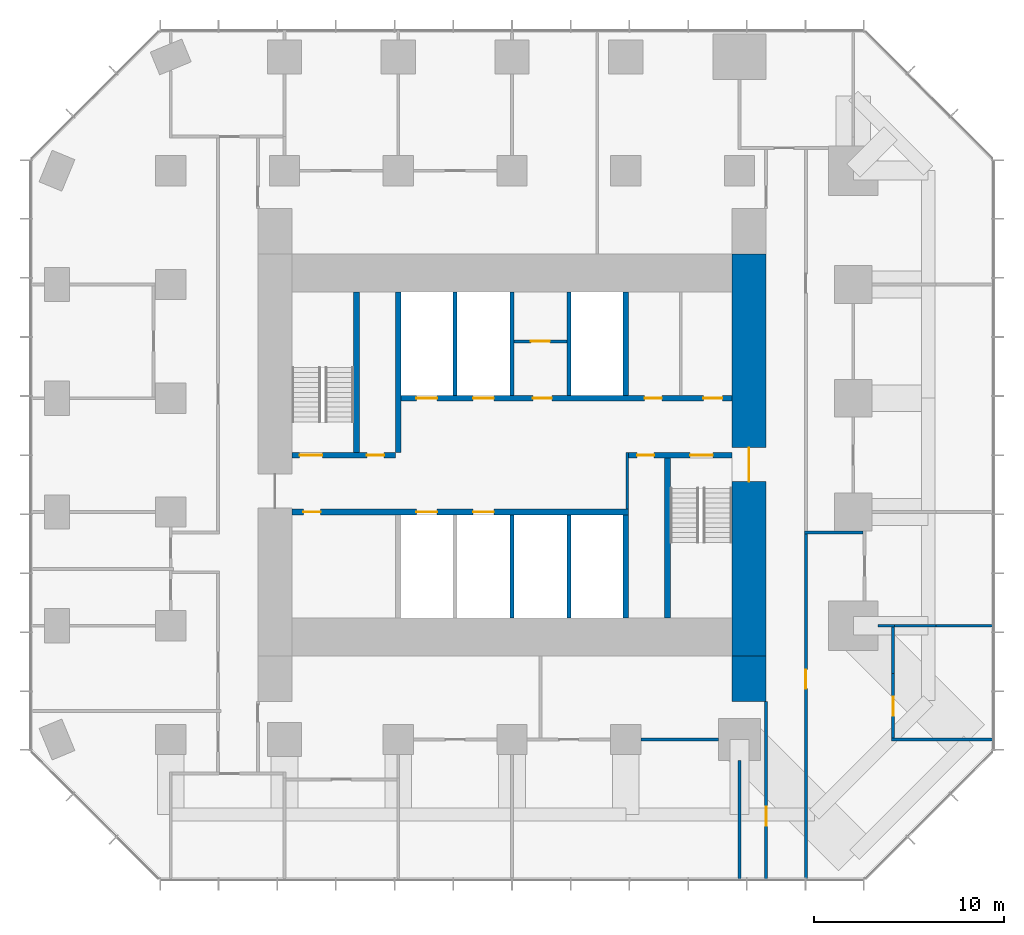
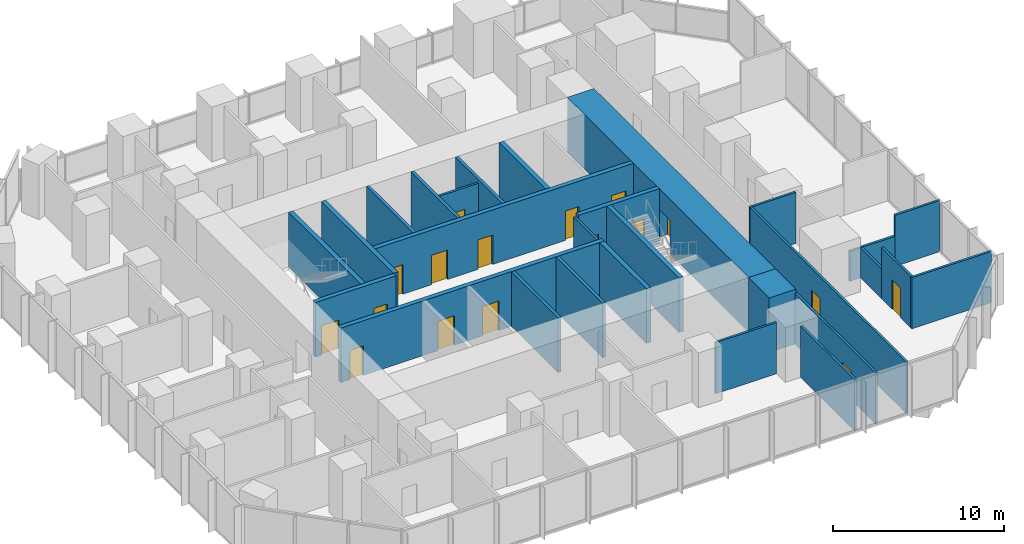
# One storey, part 10 of 12: 29 walls, 17 doors, 17 openings.
"""IFC4 building model written with IfcOpenShell, lengths in metres."""

from ifc_helpers import new_model, si_unit, direction, frame, frame_2d, origin, place, context, subcontext, project, spatial, rectangle, extrude, material, layer, layer_set, type_object, element, fill, save


model = new_model("IFC4")

# Units and contexts
model_context = context("Model", 3, precision=1e-05, world=origin(), true_north=direction((0.0, 1.0)))
body_context = subcontext(model_context, "Body", "Model", "MODEL_VIEW")
ifc_project = project(units=[si_unit("LENGTHUNIT", "METRE"), si_unit("AREAUNIT", "SQUARE_METRE"), si_unit("VOLUMEUNIT", "CUBIC_METRE"), si_unit("PLANEANGLEUNIT", "RADIAN"), si_unit("MASSUNIT", "GRAM", prefix="KILO")], contexts=[model_context])

# Site, building, storey
site_placement = place(None, origin())
site = spatial("IfcSite", under=ifc_project, at=site_placement, CompositionType="ELEMENT")
building_placement = place(site_placement, origin())
building = spatial("IfcBuilding", under=site, at=building_placement, Name="Highveld Stack Headquarters", CompositionType="ELEMENT")
storey_placement = place(building_placement, frame((0.0, 0.0, 160.10009765625)))
storey = spatial("IfcBuildingStorey", under=building, at=storey_placement, Name="L39", CompositionType="ELEMENT", Elevation=160.10009765625)

# Wall, opening, door
ifc_material_1 = material(Name="Concrete C60/75", Category="concrete")
ifc_layer_1 = layer(ifc_material_1, 1.800048828125)
ifc_layer_set_1 = layer_set([ifc_layer_1], Name="Concrete C60/75")
wall_type_1 = type_object("IfcWallType", Name="CORE WALL 1800 C60/75", PredefinedType="SHEAR", material=ifc_layer_set_1)
wall_1_placement = place(storey_placement, frame((18.5, -7.60009765625, 0.0), z_axis=(0.0, 0.0, 1.0), x_axis=(0.0, 1.0, 0.0)))
wall_1 = element("IfcWall", 1, at=wall_1_placement, inside=storey, type_object=wall_type_1, Name="Core wall E L39", PredefinedType="SHEAR", context=body_context, shape_type="SweptSolid", body=[
    extrude(rectangle(XDim=21.2001953125, YDim=1.800048828125, at=frame_2d((10.60009765625, 0.0))), origin(), (0.0, 0.0, 1.0), 3.89990234375),
])
opening_1_placement = place(wall_1_placement, frame((9.199951171875, 0.0, 0.0)))
opening_1 = element("IfcOpeningElement", 2, at=opening_1_placement, cuts=wall_1, Name="Opening L39-02", PredefinedType="OPENING", context=body_context, shape_type="SweptSolid", body=[
    extrude(rectangle(XDim=1.800048828125, YDim=2.39990234375, at=frame_2d((0.89990234375, 1.199951171875))), frame((0.0, 0.909912109375, 0.0), z_axis=(0.0, -1.0, 0.0), x_axis=(1.0, 0.0, 0.0)), (0.0, 0.0, 1.0), 1.820068359375),
])
ifc_material_2 = material(Name="Steel fire door", Category="steel")
door_type_1 = type_object("IfcDoorType", Name="LOBBY FIRE DOOR D4 1800x2400", OperationType="DOUBLE_DOOR_SINGLE_SWING", PredefinedType="DOOR", material=ifc_material_2)
door_1_placement = place(opening_1_placement, origin())
door_1 = element("IfcDoor", 3, at=door_1_placement, inside=storey, type_object=door_type_1, Name="Core east door L39", OperationType="DOUBLE_DOOR_SINGLE_SWING", OverallHeight=2.39990234375, OverallWidth=1.800048828125, PredefinedType="DOOR", context=body_context, shape_type="SweptSolid", body=[
    extrude(rectangle(XDim=1.800048828125, YDim=2.39990234375, at=frame_2d((0.89990234375, 1.199951171875))), frame((0.0, 0.02490234375, 0.0), z_axis=(0.0, -1.0, 0.0), x_axis=(1.0, 0.0, 0.0)), (0.0, 0.0, 1.0), 0.050048828125),
])
fill(opening_1, door_1)

# Wall, openings, doors
ifc_material_3 = material(Name="Concrete C60/75", Category="concrete")
ifc_layer_2 = layer(ifc_material_3, 0.300048828125)
ifc_layer_set_2 = layer_set([ifc_layer_2], Name="Concrete C60/75")
wall_type_2 = type_object("IfcWallType", Name="CORE WALL 300 C60/75", PredefinedType="SHEAR", material=ifc_layer_set_2)
wall_2_placement = place(storey_placement, frame((-5.60009765625, 0.0, 0.0), z_axis=(0.0, 0.0, 1.0), x_axis=(1.0, 0.0, 0.0)))
wall_2 = element("IfcWall", 4, at=wall_2_placement, inside=storey, type_object=wall_type_2, Name="Core wall I-Y0 L39", PredefinedType="SHEAR", context=body_context, shape_type="SweptSolid", body=[
    extrude(rectangle(XDim=17.75, YDim=0.300048828125, at=frame_2d((8.875, 0.0))), origin(), (0.0, 0.0, 1.0), 3.89990234375),
])
opening_2_placement = place(wall_2_placement, frame((0.60009765625, 0.0, 0.0)))
opening_2 = element("IfcOpeningElement", 5, at=opening_2_placement, cuts=wall_2, Name="Opening L39-07", PredefinedType="OPENING", context=body_context, shape_type="SweptSolid", body=[
    extrude(rectangle(XDim=0.89990234375, YDim=2.10009765625, at=frame_2d((0.449951171875, 1.050048828125))), frame((0.0, 0.159912109375, 0.0), z_axis=(0.0, -1.0, 0.0), x_axis=(1.0, 0.0, 0.0)), (0.0, 0.0, 1.0), 0.320068359375),
])
opening_3_placement = place(wall_2_placement, frame((6.550048828125, 0.0, 0.0)))
opening_3 = element("IfcOpeningElement", 6, at=opening_3_placement, cuts=wall_2, Name="Opening LD", PredefinedType="OPENING", context=body_context, shape_type="SweptSolid", body=[
    extrude(rectangle(XDim=1.10009765625, YDim=2.10009765625, at=frame_2d((0.550048828125, 1.050048828125))), frame((0.0, 0.159912109375, 0.0), z_axis=(0.0, -1.0, 0.0), x_axis=(1.0, 0.0, 0.0)), (0.0, 0.0, 1.0), 0.320068359375),
])
opening_4_placement = place(wall_2_placement, frame((9.550048828125, 0.0, 0.0)))
opening_4 = element("IfcOpeningElement", 7, at=opening_4_placement, cuts=wall_2, Name="Opening LD", PredefinedType="OPENING", context=body_context, shape_type="SweptSolid", body=[
    extrude(rectangle(XDim=1.10009765625, YDim=2.10009765625, at=frame_2d((0.550048828125, 1.050048828125))), frame((0.0, 0.159912109375, 0.0), z_axis=(0.0, -1.0, 0.0), x_axis=(1.0, 0.0, 0.0)), (0.0, 0.0, 1.0), 0.320068359375),
])
ifc_material_4 = material(Name="Stainless steel lift landing door", Category="steel")
door_type_2 = type_object("IfcDoorType", Name="LIFT LANDING DOOR LD 1100x2100", OperationType="DOUBLE_DOOR_SLIDING", PredefinedType="USERDEFINED", material=ifc_material_4)
door_2_placement = place(opening_3_placement, origin())
door_2 = element("IfcDoor", 8, at=door_2_placement, inside=storey, type_object=door_type_2, Name="Lift landing door B1 L39", ObjectType="LIFT LANDING DOOR", OperationType="DOUBLE_DOOR_SLIDING", OverallHeight=2.10009765625, OverallWidth=1.10009765625, PredefinedType="USERDEFINED", context=body_context, shape_type="SweptSolid", body=[
    extrude(rectangle(XDim=1.10009765625, YDim=2.10009765625, at=frame_2d((0.550048828125, 1.050048828125))), frame((0.0, 0.02490234375, 0.0), z_axis=(0.0, -1.0, 0.0), x_axis=(1.0, 0.0, 0.0)), (0.0, 0.0, 1.0), 0.050048828125),
])
fill(opening_3, door_2)
door_3_placement = place(opening_4_placement, origin())
door_3 = element("IfcDoor", 9, at=door_3_placement, inside=storey, type_object=door_type_2, Name="Lift landing door B2 L39", ObjectType="LIFT LANDING DOOR", OperationType="DOUBLE_DOOR_SLIDING", OverallHeight=2.10009765625, OverallWidth=1.10009765625, PredefinedType="USERDEFINED", context=body_context, shape_type="SweptSolid", body=[
    extrude(rectangle(XDim=1.10009765625, YDim=2.10009765625, at=frame_2d((0.550048828125, 1.050048828125))), frame((0.0, 0.02490234375, 0.0), z_axis=(0.0, -1.0, 0.0), x_axis=(1.0, 0.0, 0.0)), (0.0, 0.0, 1.0), 0.050048828125),
])
fill(opening_4, door_3)
ifc_material_5 = material(Name="Timber door, painted", Category="wood")
door_type_3 = type_object("IfcDoorType", Name="WC DOOR D1 900x2100", OperationType="SINGLE_SWING_LEFT", PredefinedType="DOOR", material=ifc_material_5)
door_4_placement = place(opening_2_placement, origin())
door_4 = element("IfcDoor", 10, at=door_4_placement, inside=storey, type_object=door_type_3, Name="Female WC door L39", OperationType="SINGLE_SWING_LEFT", OverallHeight=2.10009765625, OverallWidth=0.89990234375, PredefinedType="DOOR", context=body_context, shape_type="SweptSolid", body=[
    extrude(rectangle(XDim=0.89990234375, YDim=2.10009765625, at=frame_2d((0.449951171875, 1.050048828125))), frame((0.0, 0.02490234375, 0.0), z_axis=(0.0, -1.0, 0.0), x_axis=(1.0, 0.0, 0.0)), (0.0, 0.0, 1.0), 0.050048828125),
])
fill(opening_2, door_4)

wall_3_placement = place(storey_placement, frame((-5.60009765625, 3.0, 0.0), z_axis=(0.0, 0.0, 1.0), x_axis=(1.0, 0.0, 0.0)))
wall_3 = element("IfcWall", 11, at=wall_3_placement, inside=storey, type_object=wall_type_2, Name="Core wall I-Y3W L39", PredefinedType="SHEAR", context=body_context, shape_type="SweptSolid", body=[
    extrude(rectangle(XDim=5.4501953125, YDim=0.300048828125, at=frame_2d((2.72509765625, 0.0))), origin(), (0.0, 0.0, 1.0), 3.89990234375),
])
opening_5_placement = place(wall_3_placement, frame((0.39990234375, 0.0, 0.0)))
opening_5 = element("IfcOpeningElement", 12, at=opening_5_placement, cuts=wall_3, Name="Opening L39-03", PredefinedType="OPENING", context=body_context, shape_type="SweptSolid", body=[
    extrude(rectangle(XDim=1.199951171875, YDim=2.10009765625, at=frame_2d((0.60009765625, 1.050048828125))), frame((0.0, 0.159912109375, 0.0), z_axis=(0.0, -1.0, 0.0), x_axis=(1.0, 0.0, 0.0)), (0.0, 0.0, 1.0), 0.320068359375),
])
opening_6_placement = place(wall_3_placement, frame((3.949951171875, 0.0, 0.0)))
opening_6 = element("IfcOpeningElement", 13, at=opening_6_placement, cuts=wall_3, Name="Opening L39-04", PredefinedType="OPENING", context=body_context, shape_type="SweptSolid", body=[
    extrude(rectangle(XDim=0.89990234375, YDim=2.10009765625, at=frame_2d((0.449951171875, 1.050048828125))), frame((0.0, 0.159912109375, 0.0), z_axis=(0.0, -1.0, 0.0), x_axis=(1.0, 0.0, 0.0)), (0.0, 0.0, 1.0), 0.320068359375),
])
ifc_material_6 = material(Name="Steel fire door", Category="steel")
door_type_4 = type_object("IfcDoorType", Name="RISER ACCESS DOOR D5 900x2100", OperationType="SINGLE_SWING_LEFT", PredefinedType="DOOR", material=ifc_material_6)
door_5_placement = place(opening_6_placement, origin())
door_5 = element("IfcDoor", 14, at=door_5_placement, inside=storey, type_object=door_type_4, Name="Riser R1 door L39", OperationType="SINGLE_SWING_RIGHT", OverallHeight=2.10009765625, OverallWidth=0.89990234375, PredefinedType="DOOR", context=body_context, shape_type="SweptSolid", body=[
    extrude(rectangle(XDim=0.89990234375, YDim=2.10009765625, at=frame_2d((0.449951171875, 1.050048828125))), frame((0.0, 0.02490234375, 0.0), z_axis=(0.0, -1.0, 0.0), x_axis=(1.0, 0.0, 0.0)), (0.0, 0.0, 1.0), 0.050048828125),
])
fill(opening_6, door_5)
ifc_material_7 = material(Name="Steel fire door", Category="steel")
door_type_5 = type_object("IfcDoorType", Name="STAIR FIRE DOOR D3 1200x2100", OperationType="SINGLE_SWING_LEFT", PredefinedType="DOOR", material=ifc_material_7)
door_6_placement = place(opening_5_placement, origin())
door_6 = element("IfcDoor", 15, at=door_6_placement, inside=storey, type_object=door_type_5, Name="Stair S1 door L39", OperationType="SINGLE_SWING_LEFT", OverallHeight=2.10009765625, OverallWidth=1.199951171875, PredefinedType="DOOR", context=body_context, shape_type="SweptSolid", body=[
    extrude(rectangle(XDim=1.199951171875, YDim=2.10009765625, at=frame_2d((0.60009765625, 1.050048828125))), frame((0.0, 0.02490234375, 0.0), z_axis=(0.0, -1.0, 0.0), x_axis=(1.0, 0.0, 0.0)), (0.0, 0.0, 1.0), 0.050048828125),
])
fill(opening_5, door_6)

wall_4_placement = place(storey_placement, frame((12.14990234375, 3.0, 0.0), z_axis=(0.0, 0.0, 1.0), x_axis=(1.0, 0.0, 0.0)))
wall_4 = element("IfcWall", 16, at=wall_4_placement, inside=storey, type_object=wall_type_2, Name="Core wall I-Y3E L39", PredefinedType="SHEAR", context=body_context, shape_type="SweptSolid", body=[
    extrude(rectangle(XDim=5.4501953125, YDim=0.300048828125, at=frame_2d((2.72509765625, 0.0))), origin(), (0.0, 0.0, 1.0), 3.89990234375),
])
opening_7_placement = place(wall_4_placement, frame((3.25, 0.0, 0.0)))
opening_7 = element("IfcOpeningElement", 17, at=opening_7_placement, cuts=wall_4, Name="Opening L39-05", PredefinedType="OPENING", context=body_context, shape_type="SweptSolid", body=[
    extrude(rectangle(XDim=1.199951171875, YDim=2.10009765625, at=frame_2d((0.60009765625, 1.050048828125))), frame((0.0, 0.159912109375, 0.0), z_axis=(0.0, -1.0, 0.0), x_axis=(1.0, 0.0, 0.0)), (0.0, 0.0, 1.0), 0.320068359375),
])
opening_8_placement = place(wall_4_placement, frame((0.449951171875, 0.0, 0.0)))
opening_8 = element("IfcOpeningElement", 18, at=opening_8_placement, cuts=wall_4, Name="Opening L39-06", PredefinedType="OPENING", context=body_context, shape_type="SweptSolid", body=[
    extrude(rectangle(XDim=0.89990234375, YDim=2.10009765625, at=frame_2d((0.449951171875, 1.050048828125))), frame((0.0, 0.159912109375, 0.0), z_axis=(0.0, -1.0, 0.0), x_axis=(1.0, 0.0, 0.0)), (0.0, 0.0, 1.0), 0.320068359375),
])
door_7_placement = place(opening_8_placement, origin())
door_7 = element("IfcDoor", 19, at=door_7_placement, inside=storey, type_object=door_type_4, Name="Riser R2 door L39", OperationType="SINGLE_SWING_LEFT", OverallHeight=2.10009765625, OverallWidth=0.89990234375, PredefinedType="DOOR", context=body_context, shape_type="SweptSolid", body=[
    extrude(rectangle(XDim=0.89990234375, YDim=2.10009765625, at=frame_2d((0.449951171875, 1.050048828125))), frame((0.0, 0.02490234375, 0.0), z_axis=(0.0, -1.0, 0.0), x_axis=(1.0, 0.0, 0.0)), (0.0, 0.0, 1.0), 0.050048828125),
])
fill(opening_8, door_7)
door_8_placement = place(opening_7_placement, origin())
door_8 = element("IfcDoor", 20, at=door_8_placement, inside=storey, type_object=door_type_5, Name="Stair S2 door L39", OperationType="SINGLE_SWING_RIGHT", OverallHeight=2.10009765625, OverallWidth=1.199951171875, PredefinedType="DOOR", context=body_context, shape_type="SweptSolid", body=[
    extrude(rectangle(XDim=1.199951171875, YDim=2.10009765625, at=frame_2d((0.60009765625, 1.050048828125))), frame((0.0, 0.02490234375, 0.0), z_axis=(0.0, -1.0, 0.0), x_axis=(1.0, 0.0, 0.0)), (0.0, 0.0, 1.0), 0.050048828125),
])
fill(opening_7, door_8)

wall_5_placement = place(storey_placement, frame((-0.14990234375, 6.0, 0.0), z_axis=(0.0, 0.0, 1.0), x_axis=(1.0, 0.0, 0.0)))
wall_5 = element("IfcWall", 21, at=wall_5_placement, inside=storey, type_object=wall_type_2, Name="Core wall I-Y6 L39", PredefinedType="SHEAR", context=body_context, shape_type="SweptSolid", body=[
    extrude(rectangle(XDim=17.75, YDim=0.300048828125, at=frame_2d((8.875, 0.0))), origin(), (0.0, 0.0, 1.0), 3.89990234375),
])
opening_9_placement = place(wall_5_placement, frame((13.14990234375, 0.0, 0.0)))
opening_9 = element("IfcOpeningElement", 22, at=opening_9_placement, cuts=wall_5, Name="Opening L39-08", PredefinedType="OPENING", context=body_context, shape_type="SweptSolid", body=[
    extrude(rectangle(XDim=0.89990234375, YDim=2.10009765625, at=frame_2d((0.449951171875, 1.050048828125))), frame((0.0, 0.159912109375, 0.0), z_axis=(0.0, -1.0, 0.0), x_axis=(1.0, 0.0, 0.0)), (0.0, 0.0, 1.0), 0.320068359375),
])
opening_10_placement = place(wall_5_placement, frame((16.25, 0.0, 0.0)))
opening_10 = element("IfcOpeningElement", 23, at=opening_10_placement, cuts=wall_5, Name="Opening L39-09", PredefinedType="OPENING", context=body_context, shape_type="SweptSolid", body=[
    extrude(rectangle(XDim=1.0, YDim=2.10009765625, at=frame_2d((0.5, 1.050048828125))), frame((0.0, 0.159912109375, 0.0), z_axis=(0.0, -1.0, 0.0), x_axis=(1.0, 0.0, 0.0)), (0.0, 0.0, 1.0), 0.320068359375),
])
opening_11_placement = place(wall_5_placement, frame((7.25, 0.0, 0.0)))
opening_11 = element("IfcOpeningElement", 24, at=opening_11_placement, cuts=wall_5, Name="Opening L39-11", PredefinedType="OPENING", context=body_context, shape_type="SweptSolid", body=[
    extrude(rectangle(XDim=1.0, YDim=2.10009765625, at=frame_2d((0.5, 1.050048828125))), frame((0.0, 0.159912109375, 0.0), z_axis=(0.0, -1.0, 0.0), x_axis=(1.0, 0.0, 0.0)), (0.0, 0.0, 1.0), 0.320068359375),
])
opening_12_placement = place(wall_5_placement, frame((1.10009765625, 0.0, 0.0)))
opening_12 = element("IfcOpeningElement", 25, at=opening_12_placement, cuts=wall_5, Name="Opening LD", PredefinedType="OPENING", context=body_context, shape_type="SweptSolid", body=[
    extrude(rectangle(XDim=1.10009765625, YDim=2.10009765625, at=frame_2d((0.550048828125, 1.050048828125))), frame((0.0, 0.159912109375, 0.0), z_axis=(0.0, -1.0, 0.0), x_axis=(1.0, 0.0, 0.0)), (0.0, 0.0, 1.0), 0.320068359375),
])
opening_13_placement = place(wall_5_placement, frame((4.10009765625, 0.0, 0.0)))
opening_13 = element("IfcOpeningElement", 26, at=opening_13_placement, cuts=wall_5, Name="Opening LD", PredefinedType="OPENING", context=body_context, shape_type="SweptSolid", body=[
    extrude(rectangle(XDim=1.10009765625, YDim=2.10009765625, at=frame_2d((0.550048828125, 1.050048828125))), frame((0.0, 0.159912109375, 0.0), z_axis=(0.0, -1.0, 0.0), x_axis=(1.0, 0.0, 0.0)), (0.0, 0.0, 1.0), 0.320068359375),
])
ifc_material_8 = material(Name="Timber door, painted", Category="wood")
door_type_6 = type_object("IfcDoorType", Name="ACCESSIBLE WC DOOR D2 1000x2100", OperationType="SINGLE_SWING_RIGHT", PredefinedType="DOOR", material=ifc_material_8)
door_9_placement = place(opening_10_placement, origin())
door_9 = element("IfcDoor", 27, at=door_9_placement, inside=storey, type_object=door_type_6, Name="Accessible WC door L39", OperationType="SINGLE_SWING_RIGHT", OverallHeight=2.10009765625, OverallWidth=1.0, PredefinedType="DOOR", context=body_context, shape_type="SweptSolid", body=[
    extrude(rectangle(XDim=1.0, YDim=2.10009765625, at=frame_2d((0.5, 1.050048828125))), frame((0.0, 0.02490234375, 0.0), z_axis=(0.0, -1.0, 0.0), x_axis=(1.0, 0.0, 0.0)), (0.0, 0.0, 1.0), 0.050048828125),
])
fill(opening_10, door_9)
ifc_material_9 = material(Name="Steel fire door", Category="steel")
door_type_7 = type_object("IfcDoorType", Name="CORE ROOM FIRE DOOR D14 1000x2100", OperationType="SINGLE_SWING_LEFT", PredefinedType="DOOR", material=ifc_material_9)
door_10_placement = place(opening_11_placement, origin())
door_10 = element("IfcDoor", 28, at=door_10_placement, inside=storey, type_object=door_type_7, Name="Capped A 1 door L39", OperationType="SINGLE_SWING_LEFT", OverallHeight=2.10009765625, OverallWidth=1.0, PredefinedType="DOOR", context=body_context, shape_type="SweptSolid", body=[
    extrude(rectangle(XDim=1.0, YDim=2.10009765625, at=frame_2d((0.5, 1.050048828125))), frame((0.0, 0.02490234375, 0.0), z_axis=(0.0, -1.0, 0.0), x_axis=(1.0, 0.0, 0.0)), (0.0, 0.0, 1.0), 0.050048828125),
])
fill(opening_11, door_10)
door_11_placement = place(opening_12_placement, origin())
door_11 = element("IfcDoor", 29, at=door_11_placement, inside=storey, type_object=door_type_2, Name="Lift landing door FF1 L39", ObjectType="LIFT LANDING DOOR", OperationType="DOUBLE_DOOR_SLIDING", OverallHeight=2.10009765625, OverallWidth=1.10009765625, PredefinedType="USERDEFINED", context=body_context, shape_type="SweptSolid", body=[
    extrude(rectangle(XDim=1.10009765625, YDim=2.10009765625, at=frame_2d((0.550048828125, 1.050048828125))), frame((0.0, 0.02490234375, 0.0), z_axis=(0.0, -1.0, 0.0), x_axis=(1.0, 0.0, 0.0)), (0.0, 0.0, 1.0), 0.050048828125),
])
fill(opening_12, door_11)
door_12_placement = place(opening_13_placement, origin())
door_12 = element("IfcDoor", 30, at=door_12_placement, inside=storey, type_object=door_type_2, Name="Lift landing door FF2 L39", ObjectType="LIFT LANDING DOOR", OperationType="DOUBLE_DOOR_SLIDING", OverallHeight=2.10009765625, OverallWidth=1.10009765625, PredefinedType="USERDEFINED", context=body_context, shape_type="SweptSolid", body=[
    extrude(rectangle(XDim=1.10009765625, YDim=2.10009765625, at=frame_2d((0.550048828125, 1.050048828125))), frame((0.0, 0.02490234375, 0.0), z_axis=(0.0, -1.0, 0.0), x_axis=(1.0, 0.0, 0.0)), (0.0, 0.0, 1.0), 0.050048828125),
])
fill(opening_13, door_12)
door_13_placement = place(opening_9_placement, origin())
door_13 = element("IfcDoor", 31, at=door_13_placement, inside=storey, type_object=door_type_3, Name="Male WC door L39", OperationType="SINGLE_SWING_RIGHT", OverallHeight=2.10009765625, OverallWidth=0.89990234375, PredefinedType="DOOR", context=body_context, shape_type="SweptSolid", body=[
    extrude(rectangle(XDim=0.89990234375, YDim=2.10009765625, at=frame_2d((0.449951171875, 1.050048828125))), frame((0.0, 0.02490234375, 0.0), z_axis=(0.0, -1.0, 0.0), x_axis=(1.0, 0.0, 0.0)), (0.0, 0.0, 1.0), 0.050048828125),
])
fill(opening_9, door_13)

# Walls
wall_6_placement = place(storey_placement, frame((0.0, 3.14990234375, 0.0), z_axis=(0.0, 0.0, 1.0), x_axis=(0.0, 1.0, 0.0)))
element("IfcWall", 32, at=wall_6_placement, inside=storey, type_object=wall_type_2, Name="Core wall I-X0N L39", PredefinedType="SHEAR", context=body_context, shape_type="SweptSolid", body=[
    extrude(rectangle(XDim=8.4501953125, YDim=0.300048828125, at=frame_2d((4.22509765625, 0.0))), origin(), (0.0, 0.0, 1.0), 3.89990234375),
])
for number, where, z_axis, x_axis, name in (
    (33, (12.0, -5.60009765625, 0.0), (0.0, 0.0, 1.0), (0.0, 1.0, 0.0), "Core wall I-X12S L39"),
    (34, (12.0, 6.14990234375, 0.0), (0.0, 0.0, 1.0), (0.0, 1.0, 0.0), "Core wall I-X12N L39"),
):
    element("IfcWall", number, at=place(storey_placement, frame(where, z_axis=z_axis, x_axis=x_axis)), inside=storey, type_object=wall_type_2, Name=name, PredefinedType="SHEAR", context=body_context, shape_type="SweptSolid", body=[
        extrude(rectangle(XDim=5.4501953125, YDim=0.300048828125, at=frame_2d((2.72509765625, 0.0))), origin(), (0.0, 0.0, 1.0), 3.89990234375),
    ])
for number, where, z_axis, x_axis, name in (
    (35, (-2.199951171875, 3.14990234375, 0.0), (0.0, 0.0, 1.0), (0.0, 1.0, 0.0), "Core wall I-RW L39"),
    (36, (14.199951171875, -5.60009765625, 0.0), (0.0, 0.0, 1.0), (0.0, 1.0, 0.0), "Core wall I-RE L39"),
):
    element("IfcWall", number, at=place(storey_placement, frame(where, z_axis=z_axis, x_axis=x_axis)), inside=storey, type_object=wall_type_2, Name=name, PredefinedType="SHEAR", context=body_context, shape_type="SweptSolid", body=[
        extrude(rectangle(XDim=8.4501953125, YDim=0.300048828125, at=frame_2d((4.22509765625, 0.0))), origin(), (0.0, 0.0, 1.0), 3.89990234375),
    ])
ifc_material_10 = material(Name="Concrete C60/75", Category="concrete")
ifc_layer_3 = layer(ifc_material_10, 1.800048828125)
ifc_layer_set_3 = layer_set([ifc_layer_3], Name="Concrete C60/75")
wall_type_3 = type_object("IfcWallType", Name="CORE WING WALL 1800 C60/75", PredefinedType="SHEAR", material=ifc_layer_set_3)
wall_7_placement = place(storey_placement, frame((18.5, -10.0, 0.0), z_axis=(0.0, 0.0, 1.0), x_axis=(0.0, 1.0, 0.0)))
element("IfcWall", 37, at=wall_7_placement, inside=storey, type_object=wall_type_3, Name="Core wing wall ES L39", PredefinedType="SHEAR", context=body_context, shape_type="SweptSolid", body=[
    extrude(rectangle(XDim=2.39990234375, YDim=1.800048828125, at=frame_2d((1.199951171875, 0.0))), origin(), (0.0, 0.0, 1.0), 3.89990234375),
])

# Wall, opening, door
ifc_material_11 = material(Name="Concrete blockwork, plastered", Category="masonry")
ifc_layer_4 = layer(ifc_material_11, 0.14990234375)
ifc_layer_set_4 = layer_set([ifc_layer_4], Name="Concrete blockwork, plastered")
wall_type_4 = type_object("IfcWallType", Name="FIRE PARTITION 150 BLOCKWORK", PredefinedType="PARTITIONING", material=ifc_layer_set_4)
wall_8_placement = place(storey_placement, frame((6.10009765625, 9.0, 0.0), z_axis=(0.0, 0.0, 1.0), x_axis=(1.0, 0.0, 0.0)))
wall_8 = element("IfcWall", 38, at=wall_8_placement, inside=storey, type_object=wall_type_4, Name="Core room partition L39", PredefinedType="PARTITIONING", context=body_context, shape_type="SweptSolid", body=[
    extrude(rectangle(XDim=2.7998046875, YDim=0.14990234375, at=frame_2d((1.39990234375, 0.0))), origin(), (0.0, 0.0, 1.0), 3.64990234375),
])
opening_14_placement = place(wall_8_placement, frame((0.89990234375, 0.0, 0.0)))
opening_14 = element("IfcOpeningElement", 39, at=opening_14_placement, cuts=wall_8, Name="Opening L39-10", PredefinedType="OPENING", context=body_context, shape_type="SweptSolid", body=[
    extrude(rectangle(XDim=1.0, YDim=2.10009765625, at=frame_2d((0.5, 1.050048828125))), frame((0.0, 0.0849609375, 0.0), z_axis=(0.0, -1.0, 0.0), x_axis=(1.0, 0.0, 0.0)), (0.0, 0.0, 1.0), 0.169921875),
])
door_14_placement = place(opening_14_placement, origin())
door_14 = element("IfcDoor", 40, at=door_14_placement, inside=storey, type_object=door_type_7, Name="Capped A 2 door L39", OperationType="SINGLE_SWING_RIGHT", OverallHeight=2.10009765625, OverallWidth=1.0, PredefinedType="DOOR", context=body_context, shape_type="SweptSolid", body=[
    extrude(rectangle(XDim=1.0, YDim=2.10009765625, at=frame_2d((0.5, 1.050048828125))), frame((0.0, 0.02490234375, 0.0), z_axis=(0.0, -1.0, 0.0), x_axis=(1.0, 0.0, 0.0)), (0.0, 0.0, 1.0), 0.050048828125),
])
fill(opening_14, door_14)

# Walls
wall_9_placement = place(storey_placement, frame((12.074951171875, 0.14990234375, 0.0), z_axis=(0.0, 0.0, 1.0), x_axis=(0.0, 1.0, 0.0)))
element("IfcWall", 41, at=wall_9_placement, inside=storey, type_object=wall_type_4, Name="Riser R2 enclosure L39", PredefinedType="PARTITIONING", context=body_context, shape_type="SweptSolid", body=[
    extrude(rectangle(XDim=3.0, YDim=0.14990234375, at=frame_2d((1.5, 0.0))), origin(), (0.0, 0.0, 1.0), 3.64990234375),
])
ifc_material_12 = material(Name="Concrete blockwork, fair-faced", Category="masonry")
ifc_layer_5 = layer(ifc_material_12, 0.199951171875)
ifc_layer_set_5 = layer_set([ifc_layer_5], Name="Concrete blockwork, fair-faced")
wall_type_5 = type_object("IfcWallType", Name="LIFT SHAFT ENCLOSURE WALL 200 BLOCKWORK", PredefinedType="SOLIDWALL", material=ifc_layer_set_5)
for number, where, z_axis, x_axis, name in (
    (42, (3.0, 6.14990234375, 0.0), (0.0, 0.0, 1.0), (0.0, 1.0, 0.0), "Lift shaft wall L39"),
    (43, (6.0, 6.14990234375, 0.0), (0.0, 0.0, 1.0), (0.0, 1.0, 0.0), "Lift shaft wall L39"),
    (44, (9.0, 6.14990234375, 0.0), (0.0, 0.0, 1.0), (0.0, 1.0, 0.0), "Lift shaft wall L39"),
    (45, (6.0, -5.60009765625, 0.0), (0.0, 0.0, 1.0), (0.0, 1.0, 0.0), "Lift shaft wall L39"),
    (46, (9.0, -5.60009765625, 0.0), (0.0, 0.0, 1.0), (0.0, 1.0, 0.0), "Lift shaft wall L39"),
):
    element("IfcWall", number, at=place(storey_placement, frame(where, z_axis=z_axis, x_axis=x_axis)), inside=storey, type_object=wall_type_5, Name=name, PredefinedType="SOLIDWALL", context=body_context, shape_type="SweptSolid", body=[
        extrude(rectangle(XDim=5.4501953125, YDim=0.199951171875, at=frame_2d((2.72509765625, 0.0))), origin(), (0.0, 0.0, 1.0), 3.89990234375),
    ])
ifc_material_13 = material(Name="Gypsum plasterboard on steel studs", Category="steel")
ifc_layer_6 = layer(ifc_material_13, 0.14990234375)
ifc_layer_set_6 = layer_set([ifc_layer_6], Name="Gypsum plasterboard on steel studs")
wall_type_6 = type_object("IfcWallType", Name="PARTITION 150 PLASTERBOARD", PredefinedType="PARTITIONING", material=ifc_layer_set_6)
wall_10_placement = place(storey_placement, frame((12.800048828125, -12.0, 0.0), z_axis=(0.0, 0.0, 1.0), x_axis=(1.0, 0.0, 0.0)))
element("IfcWall", 47, at=wall_10_placement, inside=storey, type_object=wall_type_6, Name="Partition Team office L39", PredefinedType="PARTITIONING", context=body_context, shape_type="SweptSolid", body=[
    extrude(rectangle(XDim=4.099853515625, YDim=0.14990234375, at=frame_2d((2.0498046875, 0.0))), origin(), (0.0, 0.0, 1.0), 3.64990234375),
])
wall_11_placement = place(storey_placement, frame((26.02490234375, -12.0, 0.0), z_axis=(0.0, 0.0, 1.0), x_axis=(1.0, 0.0, 0.0)))
element("IfcWall", 48, at=wall_11_placement, inside=storey, type_object=wall_type_6, Name="Partition Focus room L39", PredefinedType="PARTITIONING", context=body_context, shape_type="SweptSolid", body=[
    extrude(rectangle(XDim=5.375, YDim=0.14990234375, at=frame_2d((2.6875, 0.0))), origin(), (0.0, 0.0, 1.0), 3.64990234375),
])
wall_12_placement = place(storey_placement, frame((25.300048828125, -6.0, 0.0), z_axis=(0.0, 0.0, 1.0), x_axis=(1.0, 0.0, 0.0)))
element("IfcWall", 49, at=wall_12_placement, inside=storey, type_object=wall_type_6, Name="Partition Video conference room L39", PredefinedType="PARTITIONING", context=body_context, shape_type="SweptSolid", body=[
    extrude(rectangle(XDim=0.875, YDim=0.14990234375, at=frame_2d((0.4375, 0.0))), origin(), (0.0, 0.0, 1.0), 2.14990234375),
])
wall_13_placement = place(storey_placement, frame((26.10009765625, -6.0, 0.0), z_axis=(0.0, 0.0, 1.0), x_axis=(1.0, 0.0, 0.0)))
element("IfcWall", 50, at=wall_13_placement, inside=storey, type_object=wall_type_6, Name="Partition Focus room / Video conference room L39", PredefinedType="PARTITIONING", context=body_context, shape_type="SweptSolid", body=[
    extrude(rectangle(XDim=2.260009765625, YDim=0.14990234375, at=frame_2d((1.1298828125, 0.0))), origin(), (0.0, 0.0, 1.0), 2.14990234375),
])
wall_14_placement = place(storey_placement, frame((28.360107421875, -6.0, 0.0), z_axis=(0.0, 0.0, 1.0), x_axis=(1.0, 0.0, 0.0)))
element("IfcWall", 51, at=wall_14_placement, inside=storey, type_object=wall_type_6, Name="Partition Focus room / Video conference room L39", PredefinedType="PARTITIONING", context=body_context, shape_type="SweptSolid", body=[
    extrude(rectangle(XDim=3.039794921875, YDim=0.14990234375, at=frame_2d((1.52001953125, 0.0))), origin(), (0.0, 0.0, 1.0), 3.64990234375),
])
wall_15_placement = place(storey_placement, frame((18.0, -19.39990234375, 0.0), z_axis=(0.0, 0.0, 1.0), x_axis=(0.0, 1.0, 0.0)))
element("IfcWall", 52, at=wall_15_placement, inside=storey, type_object=wall_type_6, Name="Partition Team office L39", PredefinedType="PARTITIONING", context=body_context, shape_type="SweptSolid", body=[
    extrude(rectangle(XDim=6.2998046875, YDim=0.14990234375, at=frame_2d((3.14990234375, 0.0))), origin(), (0.0, 0.0, 1.0), 3.64990234375),
])

# Wall, opening, door
wall_16_placement = place(storey_placement, frame((26.10009765625, -11.925048828125, 0.0), z_axis=(0.0, 0.0, 1.0), x_axis=(0.0, 1.0, 0.0)))
wall_16 = element("IfcWall", 53, at=wall_16_placement, inside=storey, type_object=wall_type_6, Name="Partition Focus room L39", PredefinedType="PARTITIONING", context=body_context, shape_type="SweptSolid", body=[
    extrude(rectangle(XDim=3.414306640625, YDim=0.14990234375, at=frame_2d((1.70703125, 0.0))), origin(), (0.0, 0.0, 1.0), 3.64990234375),
])
opening_15_placement = place(wall_16_placement, frame((1.169677734375, 0.0, 0.0)))
opening_15 = element("IfcOpeningElement", 54, at=opening_15_placement, cuts=wall_16, Name="Opening L39-19", PredefinedType="OPENING", context=body_context, shape_type="SweptSolid", body=[
    extrude(rectangle(XDim=1.0, YDim=2.10009765625, at=frame_2d((0.5, 1.050048828125))), frame((0.0, 0.0849609375, 0.0), z_axis=(0.0, -1.0, 0.0), x_axis=(1.0, 0.0, 0.0)), (0.0, 0.0, 1.0), 0.169921875),
])
ifc_material_14 = material(Name="Timber door, oiled ash", Category="wood")
door_type_8 = type_object("IfcDoorType", Name="ROOM DOOR D6 1000x2100", OperationType="SINGLE_SWING_LEFT", PredefinedType="DOOR", material=ifc_material_14)
door_15_placement = place(opening_15_placement, origin())
door_15 = element("IfcDoor", 55, at=door_15_placement, inside=storey, type_object=door_type_8, Name="Focus room door 1 L39", OperationType="SINGLE_SWING_LEFT", OverallHeight=2.10009765625, OverallWidth=1.0, PredefinedType="DOOR", context=body_context, shape_type="SweptSolid", body=[
    extrude(rectangle(XDim=1.0, YDim=2.10009765625, at=frame_2d((0.5, 1.050048828125))), frame((0.0, 0.02490234375, 0.0), z_axis=(0.0, -1.0, 0.0), x_axis=(1.0, 0.0, 0.0)), (0.0, 0.0, 1.0), 0.050048828125),
])
fill(opening_15, door_15)

# Wall
wall_17_placement = place(storey_placement, frame((26.10009765625, -8.5107421875, 0.0), z_axis=(0.0, 0.0, 1.0), x_axis=(0.0, 1.0, 0.0)))
element("IfcWall", 56, at=wall_17_placement, inside=storey, type_object=wall_type_6, Name="Partition Focus room L39", PredefinedType="PARTITIONING", context=body_context, shape_type="SweptSolid", body=[
    extrude(rectangle(XDim=2.435791015625, YDim=0.14990234375, at=frame_2d((1.2177734375, 0.0))), origin(), (0.0, 0.0, 1.0), 2.14990234375),
])

# Wall, opening, door
wall_18_placement = place(storey_placement, frame((19.39990234375, -19.39990234375, 0.0), z_axis=(0.0, 0.0, 1.0), x_axis=(0.0, 1.0, 0.0)))
wall_18 = element("IfcWall", 57, at=wall_18_placement, inside=storey, type_object=wall_type_6, Name="Partition office neighbourhood L39", PredefinedType="PARTITIONING", context=body_context, shape_type="SweptSolid", body=[
    extrude(rectangle(XDim=9.39990234375, YDim=0.14990234375, at=frame_2d((4.699951171875, 0.0))), origin(), (0.0, 0.0, 1.0), 3.64990234375),
])
opening_16_placement = place(wall_18_placement, frame((2.85498046875, 0.0, 0.0)))
opening_16 = element("IfcOpeningElement", 58, at=opening_16_placement, cuts=wall_18, Name="Opening L39-28", PredefinedType="OPENING", context=body_context, shape_type="SweptSolid", body=[
    extrude(rectangle(XDim=1.0, YDim=2.10009765625, at=frame_2d((0.5, 1.050048828125))), frame((0.0, 0.0849609375, 0.0), z_axis=(0.0, -1.0, 0.0), x_axis=(1.0, 0.0, 0.0)), (0.0, 0.0, 1.0), 0.169921875),
])
door_16_placement = place(opening_16_placement, origin())
door_16 = element("IfcDoor", 59, at=door_16_placement, inside=storey, type_object=door_type_8, Name="Office neighbourhood door L39", OperationType="SINGLE_SWING_LEFT", OverallHeight=2.10009765625, OverallWidth=1.0, PredefinedType="DOOR", context=body_context, shape_type="SweptSolid", body=[
    extrude(rectangle(XDim=1.0, YDim=2.10009765625, at=frame_2d((0.5, 1.050048828125))), frame((0.0, 0.02490234375, 0.0), z_axis=(0.0, -1.0, 0.0), x_axis=(1.0, 0.0, 0.0)), (0.0, 0.0, 1.0), 0.050048828125),
])
fill(opening_16, door_16)

wall_19_placement = place(storey_placement, frame((21.5, -19.35009765625, 0.0), z_axis=(0.0, 0.0, 1.0), x_axis=(0.0, 1.0, 0.0)))
wall_19 = element("IfcWall", 60, at=wall_19_placement, inside=storey, type_object=wall_type_6, Name="Partition office neighbourhood L39", PredefinedType="PARTITIONING", context=body_context, shape_type="SweptSolid", body=[
    extrude(rectangle(XDim=18.2001953125, YDim=0.14990234375, at=frame_2d((9.10009765625, 0.0))), origin(), (0.0, 0.0, 1.0), 3.64990234375),
])
opening_17_placement = place(wall_19_placement, frame((10.031005859375, 0.0, 0.0)))
opening_17 = element("IfcOpeningElement", 61, at=opening_17_placement, cuts=wall_19, Name="Opening L39-27", PredefinedType="OPENING", context=body_context, shape_type="SweptSolid", body=[
    extrude(rectangle(XDim=1.0, YDim=2.10009765625, at=frame_2d((0.5, 1.050048828125))), frame((0.0, 0.0849609375, 0.0), z_axis=(0.0, -1.0, 0.0), x_axis=(1.0, 0.0, 0.0)), (0.0, 0.0, 1.0), 0.169921875),
])
door_17_placement = place(opening_17_placement, origin())
door_17 = element("IfcDoor", 62, at=door_17_placement, inside=storey, type_object=door_type_8, Name="Office neighbourhood door L39", OperationType="SINGLE_SWING_RIGHT", OverallHeight=2.10009765625, OverallWidth=1.0, PredefinedType="DOOR", context=body_context, shape_type="SweptSolid", body=[
    extrude(rectangle(XDim=1.0, YDim=2.10009765625, at=frame_2d((0.5, 1.050048828125))), frame((0.0, 0.02490234375, 0.0), z_axis=(0.0, -1.0, 0.0), x_axis=(1.0, 0.0, 0.0)), (0.0, 0.0, 1.0), 0.050048828125),
])
fill(opening_17, door_17)

# Wall
wall_20_placement = place(storey_placement, frame((21.425048828125, -1.074951171875, 0.0), z_axis=(0.0, 0.0, 1.0), x_axis=(1.0, 0.0, 0.0)))
element("IfcWall", 63, at=wall_20_placement, inside=storey, type_object=wall_type_6, Name="Partition office neighbourhood L39", PredefinedType="PARTITIONING", context=body_context, shape_type="SweptSolid", body=[
    extrude(rectangle(XDim=3.099853515625, YDim=0.14990234375, at=frame_2d((1.5498046875, 0.0))), origin(), (0.0, 0.0, 1.0), 3.64990234375),
])

save(model, "model.ifc")
